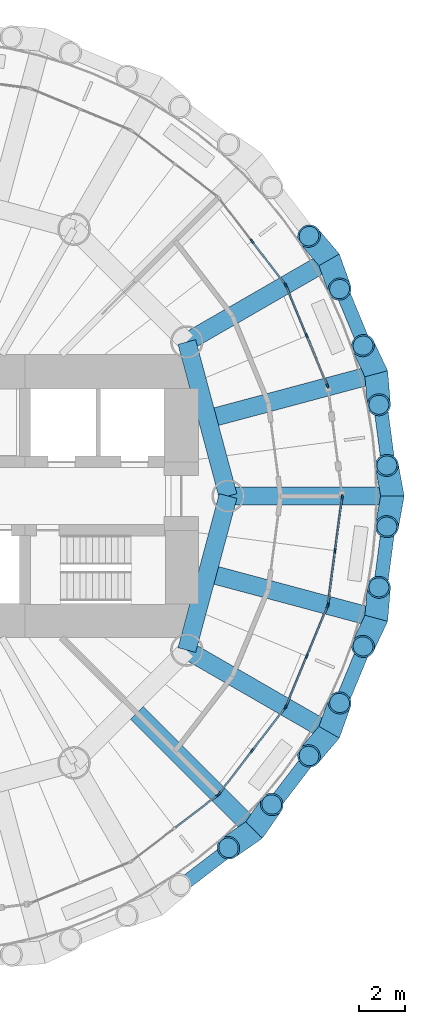
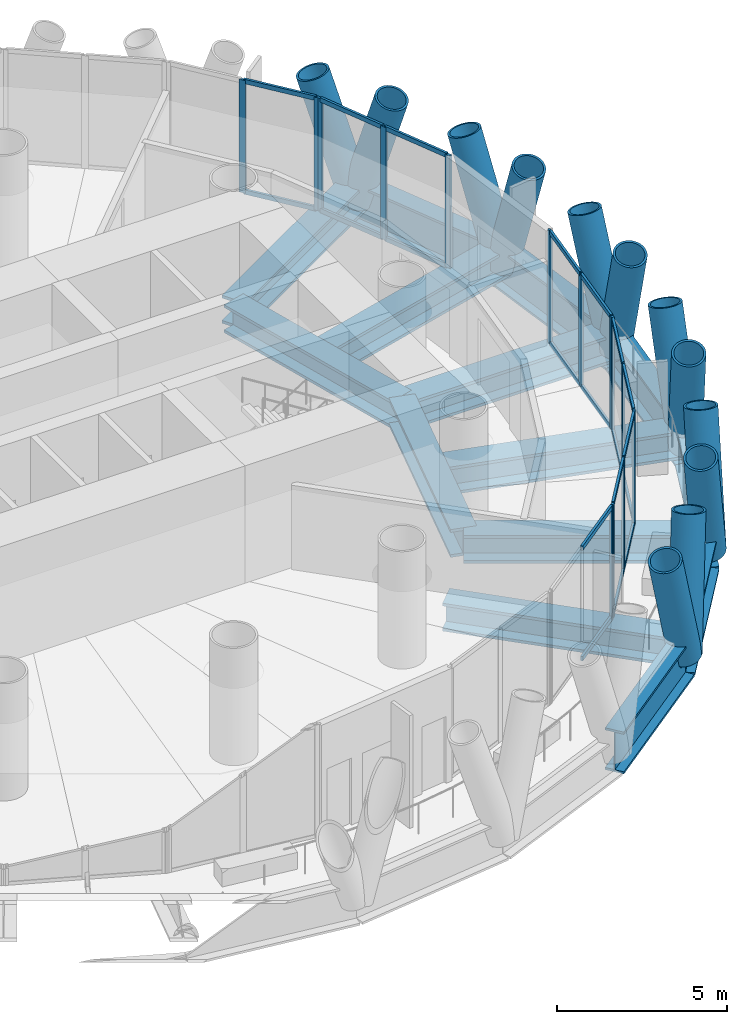
# One storey, part 4 of 12: 47 members, 14 beams, 6 elements without a shape of their own.
"""IFC4 building model written with IfcOpenShell, lengths in metres."""

from ifc_helpers import new_model, si_unit, direction, frame, origin, origin_2d, place, context, subcontext, project, spatial, rectangle, hollow_circle, i_section, extrude, material, material_profile, profile_set, type_object, element, aggregate, save


model = new_model("IFC4")

# Units and contexts
model_context = context("Model", 3, precision=1e-05, world=origin(), true_north=direction((0.0, 1.0)))
body_context = subcontext(model_context, "Body", "Model", "MODEL_VIEW")
ifc_project = project(units=[si_unit("LENGTHUNIT", "METRE"), si_unit("AREAUNIT", "SQUARE_METRE"), si_unit("VOLUMEUNIT", "CUBIC_METRE"), si_unit("PLANEANGLEUNIT", "RADIAN"), si_unit("MASSUNIT", "GRAM", prefix="KILO")], contexts=[model_context])

# Site, building, storey
site_placement = place(None, origin())
site = spatial("IfcSite", under=ifc_project, at=site_placement, CompositionType="ELEMENT")
building_placement = place(site_placement, origin())
building = spatial("IfcBuilding", under=site, at=building_placement, Name="Qaws Media Tower", CompositionType="ELEMENT")
storey_placement = place(building_placement, frame((0.0, 0.0, 278.0)))
storey = spatial("IfcBuildingStorey", under=building, at=storey_placement, Name="L64", CompositionType="ELEMENT", Elevation=278.0)

# Curtain wall, members
ifc_material_1 = material(Name="Aluminium and clear glass", Category="aluminium")
curtain_wall_type = type_object("IfcCurtainWallType", Name="Unitised curtain wall CW-D", PredefinedType="NOTDEFINED", material=ifc_material_1)
curtain_wall_1_placement = place(storey_placement, origin())
curtain_wall_1 = element("IfcCurtainWall", 1, at=curtain_wall_1_placement, inside=storey, type_object=curtain_wall_type, Name="CWD curtain wall L64-02", PredefinedType="NOTDEFINED")
ifc_material_2 = material(Name="Aluminium mullion", Category="aluminium")
ifc_material_profile_1 = material_profile(ifc_material_2, rectangle(XDim=0.080078125, YDim=0.199951171875, at=origin_2d()), Name="80x200")
ifc_profile_set_1 = profile_set([ifc_material_profile_1], Name="Aluminium mullion")
member_type_1 = type_object("IfcMemberType", Name="Curtain wall mullion 80x200", PredefinedType="MULLION", material=ifc_profile_set_1)
member_1_placement = place(storey_placement, frame((77.854248046875, 54.8251953125, 0.0), z_axis=(0.0, 0.0, 1.0), x_axis=(-0.923879529205, -0.382683440347, 0.0)))
member_1 = element("IfcMember", 2, at=member_1_placement, type_object=member_type_1, Name="CWD mullion 1", PredefinedType="MULLION", context=body_context, shape_type="SweptSolid", body=[
    extrude(rectangle(XDim=0.080078125, YDim=0.199951171875, at=origin_2d()), origin(), (0.0, 0.0, 1.0), 4.0400390625),
])
member_2_placement = place(storey_placement, frame((76.945556640625, 57.01904296875, 0.0), z_axis=(0.0, 0.0, 1.0), x_axis=(-0.923879529205, -0.382683440347, 0.0)))
member_2 = element("IfcMember", 3, at=member_2_placement, type_object=member_type_1, Name="CWD mullion 2", PredefinedType="MULLION", context=body_context, shape_type="SweptSolid", body=[
    extrude(rectangle(XDim=0.080078125, YDim=0.199951171875, at=origin_2d()), origin(), (0.0, 0.0, 1.0), 4.0400390625),
])
member_3_placement = place(storey_placement, frame((76.036865234375, 59.213134765625, 0.0), z_axis=(0.0, 0.0, 1.0), x_axis=(-0.923879529205, -0.382683440347, 0.0)))
member_3 = element("IfcMember", 4, at=member_3_placement, type_object=member_type_1, Name="CWD mullion 3", PredefinedType="MULLION", context=body_context, shape_type="SweptSolid", body=[
    extrude(rectangle(XDim=0.080078125, YDim=0.199951171875, at=origin_2d()), origin(), (0.0, 0.0, 1.0), 4.0400390625),
])

curtain_wall_2_placement = place(storey_placement, origin())
curtain_wall_2 = element("IfcCurtainWall", 5, at=curtain_wall_2_placement, inside=storey, type_object=curtain_wall_type, Name="CWD curtain wall L64-03", PredefinedType="NOTDEFINED")
member_4_placement = place(storey_placement, frame((75.9970703125, 59.28173828125, 0.0), z_axis=(0.0, 0.0, 1.0), x_axis=(-0.793353257417, -0.608761537012, 0.0)))
member_4 = element("IfcMember", 6, at=member_4_placement, type_object=member_type_1, Name="CWD mullion 1", PredefinedType="MULLION", context=body_context, shape_type="SweptSolid", body=[
    extrude(rectangle(XDim=0.080078125, YDim=0.199951171875, at=origin_2d()), origin(), (0.0, 0.0, 1.0), 4.0400390625),
])
member_5_placement = place(storey_placement, frame((74.551513671875, 61.165771484375, 0.0), z_axis=(0.0, 0.0, 1.0), x_axis=(-0.793353257417, -0.608761537012, 0.0)))
member_5 = element("IfcMember", 7, at=member_5_placement, type_object=member_type_1, Name="CWD mullion 2", PredefinedType="MULLION", context=body_context, shape_type="SweptSolid", body=[
    extrude(rectangle(XDim=0.080078125, YDim=0.199951171875, at=origin_2d()), origin(), (0.0, 0.0, 1.0), 4.0400390625),
])

# Curtain wall, member
curtain_wall_3_placement = place(storey_placement, origin())
curtain_wall_3 = element("IfcCurtainWall", 8, at=curtain_wall_3_placement, inside=storey, type_object=curtain_wall_type, Name="CWD curtain wall L64-21", PredefinedType="NOTDEFINED")
member_6_placement = place(storey_placement, frame((73.0498046875, 36.894287109375, 0.0), z_axis=(0.0, 0.0, 1.0), x_axis=(-0.608761537012, 0.793353257417, 0.0)))
member_6 = element("IfcMember", 9, at=member_6_placement, type_object=member_type_1, Name="CWD mullion 3", PredefinedType="MULLION", context=body_context, shape_type="SweptSolid", body=[
    extrude(rectangle(XDim=0.080078125, YDim=0.199951171875, at=origin_2d()), origin(), (0.0, 0.0, 1.0), 4.0400390625),
])

# Curtain wall, members
curtain_wall_4_placement = place(storey_placement, origin())
curtain_wall_4 = element("IfcCurtainWall", 10, at=curtain_wall_4_placement, inside=storey, type_object=curtain_wall_type, Name="CWD curtain wall L64-22", PredefinedType="NOTDEFINED")
member_7_placement = place(storey_placement, frame((73.105712890625, 36.9501953125, 0.0), z_axis=(0.0, 0.0, 1.0), x_axis=(-0.793353257417, 0.608761537012, 0.0)))
member_7 = element("IfcMember", 11, at=member_7_placement, type_object=member_type_1, Name="CWD mullion 1", PredefinedType="MULLION", context=body_context, shape_type="SweptSolid", body=[
    extrude(rectangle(XDim=0.080078125, YDim=0.199951171875, at=origin_2d()), origin(), (0.0, 0.0, 1.0), 4.0400390625),
])
member_8_placement = place(storey_placement, frame((74.551513671875, 38.834228515625, 0.0), z_axis=(0.0, 0.0, 1.0), x_axis=(-0.793353257417, 0.608761537012, 0.0)))
member_8 = element("IfcMember", 12, at=member_8_placement, type_object=member_type_1, Name="CWD mullion 2", PredefinedType="MULLION", context=body_context, shape_type="SweptSolid", body=[
    extrude(rectangle(XDim=0.080078125, YDim=0.199951171875, at=origin_2d()), origin(), (0.0, 0.0, 1.0), 4.0400390625),
])
member_9_placement = place(storey_placement, frame((75.9970703125, 40.71826171875, 0.0), z_axis=(0.0, 0.0, 1.0), x_axis=(-0.793353257417, 0.608761537012, 0.0)))
member_9 = element("IfcMember", 13, at=member_9_placement, type_object=member_type_1, Name="CWD mullion 3", PredefinedType="MULLION", context=body_context, shape_type="SweptSolid", body=[
    extrude(rectangle(XDim=0.080078125, YDim=0.199951171875, at=origin_2d()), origin(), (0.0, 0.0, 1.0), 4.0400390625),
])

curtain_wall_5_placement = place(storey_placement, origin())
curtain_wall_5 = element("IfcCurtainWall", 14, at=curtain_wall_5_placement, inside=storey, type_object=curtain_wall_type, Name="CWD curtain wall L64-23", PredefinedType="NOTDEFINED")
member_10_placement = place(storey_placement, frame((76.036865234375, 40.786865234375, 0.0), z_axis=(0.0, 0.0, 1.0), x_axis=(-0.923879529205, 0.382683440347, 0.0)))
member_10 = element("IfcMember", 15, at=member_10_placement, type_object=member_type_1, Name="CWD mullion 1", PredefinedType="MULLION", context=body_context, shape_type="SweptSolid", body=[
    extrude(rectangle(XDim=0.080078125, YDim=0.199951171875, at=origin_2d()), origin(), (0.0, 0.0, 1.0), 4.0400390625),
])
member_11_placement = place(storey_placement, frame((76.945556640625, 42.98095703125, 0.0), z_axis=(0.0, 0.0, 1.0), x_axis=(-0.923879529205, 0.382683440347, 0.0)))
member_11 = element("IfcMember", 16, at=member_11_placement, type_object=member_type_1, Name="CWD mullion 2", PredefinedType="MULLION", context=body_context, shape_type="SweptSolid", body=[
    extrude(rectangle(XDim=0.080078125, YDim=0.199951171875, at=origin_2d()), origin(), (0.0, 0.0, 1.0), 4.0400390625),
])
member_12_placement = place(storey_placement, frame((77.854248046875, 45.1748046875, 0.0), z_axis=(0.0, 0.0, 1.0), x_axis=(-0.923879529205, 0.382683440347, 0.0)))
member_12 = element("IfcMember", 17, at=member_12_placement, type_object=member_type_1, Name="CWD mullion 3", PredefinedType="MULLION", context=body_context, shape_type="SweptSolid", body=[
    extrude(rectangle(XDim=0.080078125, YDim=0.199951171875, at=origin_2d()), origin(), (0.0, 0.0, 1.0), 4.0400390625),
])

curtain_wall_6_placement = place(storey_placement, origin())
curtain_wall_6 = element("IfcCurtainWall", 18, at=curtain_wall_6_placement, inside=storey, type_object=curtain_wall_type, Name="CWD curtain wall L64-24", PredefinedType="NOTDEFINED")
member_13_placement = place(storey_placement, frame((77.874755859375, 45.25146484375, 0.0), z_axis=(0.0, 0.0, 1.0), x_axis=(-0.991444865919, 0.130526157699, 0.0)))
member_13 = element("IfcMember", 19, at=member_13_placement, type_object=member_type_1, Name="CWD mullion 1", PredefinedType="MULLION", context=body_context, shape_type="SweptSolid", body=[
    extrude(rectangle(XDim=0.080078125, YDim=0.199951171875, at=origin_2d()), origin(), (0.0, 0.0, 1.0), 4.0400390625),
])
member_14_placement = place(storey_placement, frame((78.184814453125, 47.60595703125, 0.0), z_axis=(0.0, 0.0, 1.0), x_axis=(-0.991444865919, 0.130526157699, 0.0)))
member_14 = element("IfcMember", 20, at=member_14_placement, type_object=member_type_1, Name="CWD mullion 2", PredefinedType="MULLION", context=body_context, shape_type="SweptSolid", body=[
    extrude(rectangle(XDim=0.080078125, YDim=0.199951171875, at=origin_2d()), origin(), (0.0, 0.0, 1.0), 4.0400390625),
])
member_15_placement = place(storey_placement, frame((78.494873046875, 49.96044921875, 0.0), z_axis=(0.0, 0.0, 1.0), x_axis=(-0.991444865919, 0.130526157699, 0.0)))
member_15 = element("IfcMember", 21, at=member_15_placement, type_object=member_type_1, Name="CWD mullion 3", PredefinedType="MULLION", context=body_context, shape_type="SweptSolid", body=[
    extrude(rectangle(XDim=0.080078125, YDim=0.199951171875, at=origin_2d()), origin(), (0.0, 0.0, 1.0), 4.0400390625),
])

# Member
ifc_material_3 = material(Name="Aluminium transom", Category="aluminium")
ifc_material_profile_2 = material_profile(ifc_material_3, rectangle(XDim=0.080078125, YDim=0.159912109375, at=origin_2d()), Name="80x160")
ifc_profile_set_2 = profile_set([ifc_material_profile_2], Name="Aluminium transom")
member_type_2 = type_object("IfcMemberType", Name="Curtain wall transom 80x160", PredefinedType="USERDEFINED", material=ifc_profile_set_2)
member_16_placement = place(storey_placement, frame((77.839111328125, 54.862060546875, 0.0400390625), z_axis=(-0.382680655833, 0.923880682584, 0.0), x_axis=(-0.923880682584, -0.382680655833, 0.0)))
member_16 = element("IfcMember", 22, at=member_16_placement, type_object=member_type_2, Name="CWD transom 1.1", ObjectType="TRANSOM", PredefinedType="USERDEFINED", context=body_context, shape_type="SweptSolid", body=[
    extrude(rectangle(XDim=0.080078125, YDim=0.159912109375, at=origin_2d()), origin(), (0.0, 0.0, 1.0), 2.294677734375),
])

member_17_placement = place(storey_placement, frame((77.839111328125, 54.862060546875, 4.0), z_axis=(-0.382680655833, 0.923880682584, 0.0), x_axis=(-0.923880682584, -0.382680655833, 0.0)))
member_17 = element("IfcMember", 23, at=member_17_placement, type_object=member_type_2, Name="CWD transom 1.2", ObjectType="TRANSOM", PredefinedType="USERDEFINED", context=body_context, shape_type="SweptSolid", body=[
    extrude(rectangle(XDim=0.080078125, YDim=0.159912109375, at=origin_2d()), origin(), (0.0, 0.0, 1.0), 2.294677734375),
])

member_18_placement = place(storey_placement, frame((76.93017578125, 57.05615234375, 0.0400390625), z_axis=(-0.382718273122, 0.923865100228, 0.0), x_axis=(-0.923865100228, -0.382718273122, 0.0)))
member_18 = element("IfcMember", 24, at=member_18_placement, type_object=member_type_2, Name="CWD transom 2.1", ObjectType="TRANSOM", PredefinedType="USERDEFINED", context=body_context, shape_type="SweptSolid", body=[
    extrude(rectangle(XDim=0.080078125, YDim=0.159912109375, at=origin_2d()), origin(), (0.0, 0.0, 1.0), 2.294677734375),
])

member_19_placement = place(storey_placement, frame((76.93017578125, 57.05615234375, 4.0), z_axis=(-0.382718273122, 0.923865100228, 0.0), x_axis=(-0.923865100228, -0.382718273122, 0.0)))
member_19 = element("IfcMember", 25, at=member_19_placement, type_object=member_type_2, Name="CWD transom 2.2", ObjectType="TRANSOM", PredefinedType="USERDEFINED", context=body_context, shape_type="SweptSolid", body=[
    extrude(rectangle(XDim=0.080078125, YDim=0.159912109375, at=origin_2d()), origin(), (0.0, 0.0, 1.0), 2.294677734375),
])

aggregate(curtain_wall_1, [member_1, member_2, member_3, member_16, member_17, member_18, member_19])

member_20_placement = place(storey_placement, frame((75.97265625, 59.3134765625, 0.0400390625), z_axis=(-0.608697315925, 0.793402531875, 0.0), x_axis=(-0.793402531875, -0.608697315925, 0.0)))
member_20 = element("IfcMember", 26, at=member_20_placement, type_object=member_type_2, Name="CWD transom 1.1", ObjectType="TRANSOM", PredefinedType="USERDEFINED", context=body_context, shape_type="SweptSolid", body=[
    extrude(rectangle(XDim=0.080078125, YDim=0.159912109375, at=origin_2d()), origin(), (0.0, 0.0, 1.0), 2.294677734375),
])

member_21_placement = place(storey_placement, frame((75.97265625, 59.3134765625, 4.0), z_axis=(-0.608697315925, 0.793402531875, 0.0), x_axis=(-0.793402531875, -0.608697315925, 0.0)))
member_21 = element("IfcMember", 27, at=member_21_placement, type_object=member_type_2, Name="CWD transom 1.2", ObjectType="TRANSOM", PredefinedType="USERDEFINED", context=body_context, shape_type="SweptSolid", body=[
    extrude(rectangle(XDim=0.080078125, YDim=0.159912109375, at=origin_2d()), origin(), (0.0, 0.0, 1.0), 2.294677734375),
])

aggregate(curtain_wall_2, [member_4, member_5, member_20, member_21])

member_22_placement = place(storey_placement, frame((71.197509765625, 35.472900390625, 0.0400390625), z_axis=(0.79335114879, 0.608764285018, 0.0), x_axis=(-0.608764285018, 0.79335114879, 0.0)))
member_22 = element("IfcMember", 28, at=member_22_placement, type_object=member_type_2, Name="CWD transom 2.1", ObjectType="TRANSOM", PredefinedType="USERDEFINED", context=body_context, shape_type="SweptSolid", body=[
    extrude(rectangle(XDim=0.080078125, YDim=0.159912109375, at=origin_2d()), origin(), (0.0, 0.0, 1.0), 2.294677734375),
])

member_23_placement = place(storey_placement, frame((71.197509765625, 35.472900390625, 4.0), z_axis=(0.79335114879, 0.608764285018, 0.0), x_axis=(-0.608764285018, 0.79335114879, 0.0)))
member_23 = element("IfcMember", 29, at=member_23_placement, type_object=member_type_2, Name="CWD transom 2.2", ObjectType="TRANSOM", PredefinedType="USERDEFINED", context=body_context, shape_type="SweptSolid", body=[
    extrude(rectangle(XDim=0.080078125, YDim=0.159912109375, at=origin_2d()), origin(), (0.0, 0.0, 1.0), 2.294677734375),
])

aggregate(curtain_wall_3, [member_6, member_22, member_23])

member_24_placement = place(storey_placement, frame((73.130126953125, 36.98193359375, 0.0400390625), z_axis=(0.608764285018, 0.79335114879, 0.0), x_axis=(-0.79335114879, 0.608764285018, 0.0)))
member_24 = element("IfcMember", 30, at=member_24_placement, type_object=member_type_2, Name="CWD transom 1.1", ObjectType="TRANSOM", PredefinedType="USERDEFINED", context=body_context, shape_type="SweptSolid", body=[
    extrude(rectangle(XDim=0.080078125, YDim=0.159912109375, at=origin_2d()), origin(), (0.0, 0.0, 1.0), 2.294677734375),
])

member_25_placement = place(storey_placement, frame((73.130126953125, 36.98193359375, 4.0), z_axis=(0.608764285018, 0.79335114879, 0.0), x_axis=(-0.79335114879, 0.608764285018, 0.0)))
member_25 = element("IfcMember", 31, at=member_25_placement, type_object=member_type_2, Name="CWD transom 1.2", ObjectType="TRANSOM", PredefinedType="USERDEFINED", context=body_context, shape_type="SweptSolid", body=[
    extrude(rectangle(XDim=0.080078125, YDim=0.159912109375, at=origin_2d()), origin(), (0.0, 0.0, 1.0), 2.294677734375),
])

member_26_placement = place(storey_placement, frame((74.575927734375, 38.865966796875, 0.0400390625), z_axis=(0.608697315925, 0.793402531875, 0.0), x_axis=(-0.793402531875, 0.608697315925, 0.0)))
member_26 = element("IfcMember", 32, at=member_26_placement, type_object=member_type_2, Name="CWD transom 2.1", ObjectType="TRANSOM", PredefinedType="USERDEFINED", context=body_context, shape_type="SweptSolid", body=[
    extrude(rectangle(XDim=0.080078125, YDim=0.159912109375, at=origin_2d()), origin(), (0.0, 0.0, 1.0), 2.294677734375),
])

member_27_placement = place(storey_placement, frame((74.575927734375, 38.865966796875, 4.0), z_axis=(0.608697315925, 0.793402531875, 0.0), x_axis=(-0.793402531875, 0.608697315925, 0.0)))
member_27 = element("IfcMember", 33, at=member_27_placement, type_object=member_type_2, Name="CWD transom 2.2", ObjectType="TRANSOM", PredefinedType="USERDEFINED", context=body_context, shape_type="SweptSolid", body=[
    extrude(rectangle(XDim=0.080078125, YDim=0.159912109375, at=origin_2d()), origin(), (0.0, 0.0, 1.0), 2.294677734375),
])

aggregate(curtain_wall_4, [member_7, member_8, member_9, member_24, member_25, member_26, member_27])

member_28_placement = place(storey_placement, frame((76.052001953125, 40.823974609375, 0.0400390625), z_axis=(0.382718273122, 0.923865100228, 0.0), x_axis=(-0.923865100228, 0.382718273122, 0.0)))
member_28 = element("IfcMember", 34, at=member_28_placement, type_object=member_type_2, Name="CWD transom 1.1", ObjectType="TRANSOM", PredefinedType="USERDEFINED", context=body_context, shape_type="SweptSolid", body=[
    extrude(rectangle(XDim=0.080078125, YDim=0.159912109375, at=origin_2d()), origin(), (0.0, 0.0, 1.0), 2.294677734375),
])

member_29_placement = place(storey_placement, frame((76.052001953125, 40.823974609375, 4.0), z_axis=(0.382718273122, 0.923865100228, 0.0), x_axis=(-0.923865100228, 0.382718273122, 0.0)))
member_29 = element("IfcMember", 35, at=member_29_placement, type_object=member_type_2, Name="CWD transom 1.2", ObjectType="TRANSOM", PredefinedType="USERDEFINED", context=body_context, shape_type="SweptSolid", body=[
    extrude(rectangle(XDim=0.080078125, YDim=0.159912109375, at=origin_2d()), origin(), (0.0, 0.0, 1.0), 2.294677734375),
])

member_30_placement = place(storey_placement, frame((76.9609375, 43.017822265625, 0.0400390625), z_axis=(0.382680655833, 0.923880682584, 0.0), x_axis=(-0.923880682584, 0.382680655833, 0.0)))
member_30 = element("IfcMember", 36, at=member_30_placement, type_object=member_type_2, Name="CWD transom 2.1", ObjectType="TRANSOM", PredefinedType="USERDEFINED", context=body_context, shape_type="SweptSolid", body=[
    extrude(rectangle(XDim=0.080078125, YDim=0.159912109375, at=origin_2d()), origin(), (0.0, 0.0, 1.0), 2.294677734375),
])

member_31_placement = place(storey_placement, frame((76.9609375, 43.017822265625, 4.0), z_axis=(0.382680655833, 0.923880682584, 0.0), x_axis=(-0.923880682584, 0.382680655833, 0.0)))
member_31 = element("IfcMember", 37, at=member_31_placement, type_object=member_type_2, Name="CWD transom 2.2", ObjectType="TRANSOM", PredefinedType="USERDEFINED", context=body_context, shape_type="SweptSolid", body=[
    extrude(rectangle(XDim=0.080078125, YDim=0.159912109375, at=origin_2d()), origin(), (0.0, 0.0, 1.0), 2.294677734375),
])

aggregate(curtain_wall_5, [member_10, member_11, member_12, member_28, member_29, member_30, member_31])

member_32_placement = place(storey_placement, frame((77.880126953125, 45.291259765625, 0.0400390625), z_axis=(0.130553597072, 0.991441253071, 0.0), x_axis=(-0.991441253071, 0.130553597072, 0.0)))
member_32 = element("IfcMember", 38, at=member_32_placement, type_object=member_type_2, Name="CWD transom 1.1", ObjectType="TRANSOM", PredefinedType="USERDEFINED", context=body_context, shape_type="SweptSolid", body=[
    extrude(rectangle(XDim=0.080078125, YDim=0.159912109375, at=origin_2d()), origin(), (0.0, 0.0, 1.0), 2.29443359375),
])

member_33_placement = place(storey_placement, frame((77.880126953125, 45.291259765625, 4.0), z_axis=(0.130553597072, 0.991441253071, 0.0), x_axis=(-0.991441253071, 0.130553597072, 0.0)))
member_33 = element("IfcMember", 39, at=member_33_placement, type_object=member_type_2, Name="CWD transom 1.2", ObjectType="TRANSOM", PredefinedType="USERDEFINED", context=body_context, shape_type="SweptSolid", body=[
    extrude(rectangle(XDim=0.080078125, YDim=0.159912109375, at=origin_2d()), origin(), (0.0, 0.0, 1.0), 2.29443359375),
])

member_34_placement = place(storey_placement, frame((78.18994140625, 47.6455078125, 0.0400390625), z_axis=(0.130539826414, 0.991443066303, 0.0), x_axis=(-0.991443066303, 0.130539826414, 0.0)))
member_34 = element("IfcMember", 40, at=member_34_placement, type_object=member_type_2, Name="CWD transom 2.1", ObjectType="TRANSOM", PredefinedType="USERDEFINED", context=body_context, shape_type="SweptSolid", body=[
    extrude(rectangle(XDim=0.080078125, YDim=0.159912109375, at=origin_2d()), origin(), (0.0, 0.0, 1.0), 2.294677734375),
])

member_35_placement = place(storey_placement, frame((78.18994140625, 47.6455078125, 4.0), z_axis=(0.130539826414, 0.991443066303, 0.0), x_axis=(-0.991443066303, 0.130539826414, 0.0)))
member_35 = element("IfcMember", 41, at=member_35_placement, type_object=member_type_2, Name="CWD transom 2.2", ObjectType="TRANSOM", PredefinedType="USERDEFINED", context=body_context, shape_type="SweptSolid", body=[
    extrude(rectangle(XDim=0.080078125, YDim=0.159912109375, at=origin_2d()), origin(), (0.0, 0.0, 1.0), 2.294677734375),
])

aggregate(curtain_wall_6, [member_13, member_14, member_15, member_32, member_33, member_34, member_35])

# Members
ifc_material_4 = material(Name="Steel S460", Category="steel")
ifc_material_profile_3 = material_profile(ifc_material_4, hollow_circle(Radius=0.508056640625, WallThickness=0.070068359375, at=origin_2d()), Name="CHS 1016x70")
ifc_profile_set_3 = profile_set([ifc_material_profile_3], Name="Steel S460")
member_type_3 = type_object("IfcMemberType", Name="Diagrid member CHS 1016x70", PredefinedType="USERDEFINED", material=ifc_profile_set_3)
for number, where, z_axis, x_axis, name in (
    (42, (80.699951171875, 50.0, -0.909912109375), (-0.055236104517, 0.303660346355, 0.951177883894), (-0.98385557547, -0.178964260724, 0.0), "DG3 diagrid L64 A01"),
    (43, (80.699951171875, 50.0, -0.909912109375), (-0.055236104517, -0.303660346355, 0.951177883894), (0.98385557547, -0.178964260724, 0.0), "DG3 diagrid L64 B01"),
    (44, (79.99462890625, 55.357666015625, -0.909912109375), (-0.131926269467, 0.279002496115, 0.951185085347), (-0.904029469388, -0.427470137527, 0.0), "DG3 diagrid L64 A02"),
    (45, (79.99462890625, 55.357666015625, -0.909912109375), (0.025267902202, -0.307638091585, 0.951167880936), (0.996643879432, 0.081859499083, 0.0), "DG3 diagrid L64 B02"),
    (46, (77.9267578125, 60.35009765625, -0.909912109375), (-0.199659430488, 0.23532277379, 0.951188364076), (-0.762522527082, -0.646961664778, 0.0), "DG3 diagrid L64 A03"),
    (47, (77.9267578125, 60.35009765625, -0.909912109375), (0.104002538317, -0.290609963526, 0.951172603223), (0.941522862002, 0.336949106436, 0.0), "DG3 diagrid L64 B03"),
    (48, (74.63720703125, 35.36279296875, -0.909912109375), (0.175606812608, 0.253789442655, 0.95118513769), (-0.822334059034, 0.569005004682, 0.0), "DG3 diagrid L64 A22"),
    (49, (74.63720703125, 35.36279296875, -0.909912109375), (-0.253789442655, -0.175606812608, 0.95118513769), (0.569005004682, -0.822334059034, 0.0), "DG3 diagrid L64 B22"),
    (50, (77.9267578125, 39.64990234375, -0.909912109375), (0.104002538317, 0.290609963526, 0.951172603223), (-0.941522862002, 0.336949106436, 0.0), "DG3 diagrid L64 A23"),
    (51, (77.9267578125, 39.64990234375, -0.909912109375), (-0.199659430488, -0.23532277379, 0.951188364076), (0.762522527082, -0.646961664778, 0.0), "DG3 diagrid L64 B23"),
    (52, (79.99462890625, 44.642333984375, -0.909912109375), (0.025267902202, 0.307638091585, 0.951167880936), (-0.996643879432, 0.081859499083, 0.0), "DG3 diagrid L64 A24"),
    (53, (79.99462890625, 44.642333984375, -0.909912109375), (-0.131926269467, -0.279002496115, 0.951185085347), (0.904029469388, -0.427470137527, 0.0), "DG3 diagrid L64 B24"),
):
    element("IfcMember", number, at=place(storey_placement, frame(where, z_axis=z_axis, x_axis=x_axis)), inside=storey, type_object=member_type_3, Name=name, ObjectType="DIAGRID", PredefinedType="USERDEFINED", context=body_context, shape_type="SweptSolid", body=[
        extrude(hollow_circle(Radius=0.508056640625, WallThickness=0.070068359375, at=origin_2d()), origin(), (0.0, 0.0, 1.0), 4.41552734375),
    ])

# Beams
ifc_material_5 = material(Name="Steel S460", Category="steel")
ifc_material_profile_4 = material_profile(ifc_material_5, i_section(OverallWidth=0.60009765625, OverallDepth=1.5, WebThickness=0.030029296875, FlangeThickness=0.080078125, at=origin_2d()), Name="PG 1500x600")
ifc_profile_set_4 = profile_set([ifc_material_profile_4], Name="Steel S460")
beam_type_1 = type_object("IfcBeamType", Name="Edge ring beam PG 1500x600", PredefinedType="BEAM", material=ifc_profile_set_4)
for number, where, z_axis, x_axis, name in (
    (54, (80.699951171875, 50.0, -0.909912109375), (-0.130521126954, 0.991445528216, 0.0), (-0.991445528216, -0.130521126954, 0.0), "RB5 edge ring beam L64-01"),
    (55, (79.99462890625, 55.357666015625, -0.909912109375), (-0.382673670509, 0.923883575944, 0.0), (-0.923883575944, -0.382673670509, 0.0), "RB5 edge ring beam L64-02"),
    (56, (70.35009765625, 32.0732421875, -0.909912109375), (0.793359055165, 0.608753981167, 0.0), (-0.608753981167, 0.793359055165, 0.0), "RB5 edge ring beam L64-21"),
    (57, (74.63720703125, 35.36279296875, -0.909912109375), (0.608753981167, 0.793359055165, 0.0), (-0.793359055165, 0.608753981167, 0.0), "RB5 edge ring beam L64-22"),
    (58, (77.9267578125, 39.64990234375, -0.909912109375), (0.382673670509, 0.923883575944, 0.0), (-0.923883575944, 0.382673670509, 0.0), "RB5 edge ring beam L64-23"),
    (59, (79.99462890625, 44.642333984375, -0.909912109375), (0.130521126954, 0.991445528216, 0.0), (-0.991445528216, 0.130521126954, 0.0), "RB5 edge ring beam L64-24"),
):
    element("IfcBeam", number, at=place(storey_placement, frame(where, z_axis=z_axis, x_axis=x_axis)), inside=storey, type_object=beam_type_1, Name=name, PredefinedType="BEAM", context=body_context, shape_type="SweptSolid", body=[
        extrude(i_section(OverallWidth=0.60009765625, OverallDepth=1.5, WebThickness=0.030029296875, FlangeThickness=0.080078125, at=origin_2d()), origin(), (0.0, 0.0, 1.0), 5.40380859375),
    ])
ifc_material_6 = material(Name="Steel S460", Category="steel")
ifc_material_profile_5 = material_profile(ifc_material_6, i_section(OverallWidth=0.800048828125, OverallDepth=1.0, WebThickness=0.0400390625, FlangeThickness=0.10009765625, at=origin_2d()), Name="PG 1000x800")
ifc_profile_set_5 = profile_set([ifc_material_profile_5], Name="Steel S460")
beam_type_2 = type_object("IfcBeamType", Name="Inner ring girder PG 1000x800", PredefinedType="BEAM", material=ifc_profile_set_5)
for number, where, z_axis, x_axis, name in (
    (60, (73.5, 50.0, -0.659912109375), (-0.258810593767, 0.965928090778, 0.0), (-0.965928090778, -0.258810593767, 0.0), "B3 inner ring beam L64 I01-I02"),
    (61, (71.69140625, 43.25, -0.659912109375), (0.258810593767, 0.965928090778, 0.0), (-0.965928090778, 0.258810593767, 0.0), "B3 inner ring beam L64 I12-I01"),
):
    element("IfcBeam", number, at=place(storey_placement, frame(where, z_axis=z_axis, x_axis=x_axis)), inside=storey, type_object=beam_type_2, Name=name, PredefinedType="BEAM", context=body_context, shape_type="SweptSolid", body=[
        extrude(i_section(OverallWidth=0.800048828125, OverallDepth=1.0, WebThickness=0.0400390625, FlangeThickness=0.10009765625, at=origin_2d()), origin(), (0.0, 0.0, 1.0), 6.988037109375),
    ])
ifc_material_7 = material(Name="Steel S460", Category="steel")
ifc_material_profile_6 = material_profile(ifc_material_7, i_section(OverallWidth=0.800048828125, OverallDepth=1.0, WebThickness=0.0400390625, FlangeThickness=0.10009765625, at=origin_2d()), Name="PG 1000x800")
ifc_profile_set_6 = profile_set([ifc_material_profile_6], Name="Steel S460")
beam_type_3 = type_object("IfcBeamType", Name="Radial girder PG 1000x800", PredefinedType="BEAM", material=ifc_profile_set_6)
beam_1_placement = place(storey_placement, frame((73.5, 50.0, -0.659912109375), z_axis=(1.0, 0.0, 0.0), x_axis=(0.0, 1.0, 0.0)))
element("IfcBeam", 62, at=beam_1_placement, inside=storey, type_object=beam_type_3, Name="B1 radial beam L64 01", PredefinedType="BEAM", context=body_context, shape_type="SweptSolid", body=[
    extrude(i_section(OverallWidth=0.800048828125, OverallDepth=1.0, WebThickness=0.0400390625, FlangeThickness=0.10009765625, at=origin_2d()), origin(), (0.0, 0.0, 1.0), 7.199951171875),
])
beam_2_placement = place(storey_placement, frame((72.98193359375, 53.478515625, -0.659912109375), z_axis=(0.965922233104, 0.258832454679, 0.0), x_axis=(-0.258832454679, 0.965922233104, 0.0)))
element("IfcBeam", 63, at=beam_2_placement, inside=storey, type_object=beam_type_3, Name="B1 radial beam L64 02", PredefinedType="BEAM", context=body_context, shape_type="SweptSolid", body=[
    extrude(i_section(OverallWidth=0.800048828125, OverallDepth=1.0, WebThickness=0.0400390625, FlangeThickness=0.10009765625, at=origin_2d()), origin(), (0.0, 0.0, 1.0), 7.260009765625),
])
beam_3_placement = place(storey_placement, frame((71.69140625, 56.75, -0.659912109375), z_axis=(0.866018442252, 0.500012057535, 0.0), x_axis=(-0.500012057535, 0.866018442252, 0.0)))
element("IfcBeam", 64, at=beam_3_placement, inside=storey, type_object=beam_type_3, Name="B1 radial beam L64 03", PredefinedType="BEAM", context=body_context, shape_type="SweptSolid", body=[
    extrude(i_section(OverallWidth=0.800048828125, OverallDepth=1.0, WebThickness=0.0400390625, FlangeThickness=0.10009765625, at=origin_2d()), origin(), (0.0, 0.0, 1.0), 7.199951171875),
])
beam_4_placement = place(storey_placement, frame((69.50341796875, 40.49658203125, -0.659912109375), z_axis=(0.707106781187, -0.707106781187, 0.0), x_axis=(0.707106781187, 0.707106781187, 0.0)))
element("IfcBeam", 65, at=beam_4_placement, inside=storey, type_object=beam_type_3, Name="B1 radial beam L64 22", PredefinedType="BEAM", context=body_context, shape_type="SweptSolid", body=[
    extrude(i_section(OverallWidth=0.800048828125, OverallDepth=1.0, WebThickness=0.0400390625, FlangeThickness=0.10009765625, at=origin_2d()), origin(), (0.0, 0.0, 1.0), 7.26025390625),
])
beam_5_placement = place(storey_placement, frame((71.69140625, 43.25, -0.659912109375), z_axis=(0.866018442252, -0.500012057535, 0.0), x_axis=(0.500012057535, 0.866018442252, 0.0)))
element("IfcBeam", 66, at=beam_5_placement, inside=storey, type_object=beam_type_3, Name="B1 radial beam L64 23", PredefinedType="BEAM", context=body_context, shape_type="SweptSolid", body=[
    extrude(i_section(OverallWidth=0.800048828125, OverallDepth=1.0, WebThickness=0.0400390625, FlangeThickness=0.10009765625, at=origin_2d()), origin(), (0.0, 0.0, 1.0), 7.199951171875),
])
beam_6_placement = place(storey_placement, frame((72.98193359375, 46.521484375, -0.659912109375), z_axis=(0.965922233104, -0.258832454679, 0.0), x_axis=(0.258832454679, 0.965922233104, 0.0)))
element("IfcBeam", 67, at=beam_6_placement, inside=storey, type_object=beam_type_3, Name="B1 radial beam L64 24", PredefinedType="BEAM", context=body_context, shape_type="SweptSolid", body=[
    extrude(i_section(OverallWidth=0.800048828125, OverallDepth=1.0, WebThickness=0.0400390625, FlangeThickness=0.10009765625, at=origin_2d()), origin(), (0.0, 0.0, 1.0), 7.260009765625),
])

save(model, "model.ifc")
